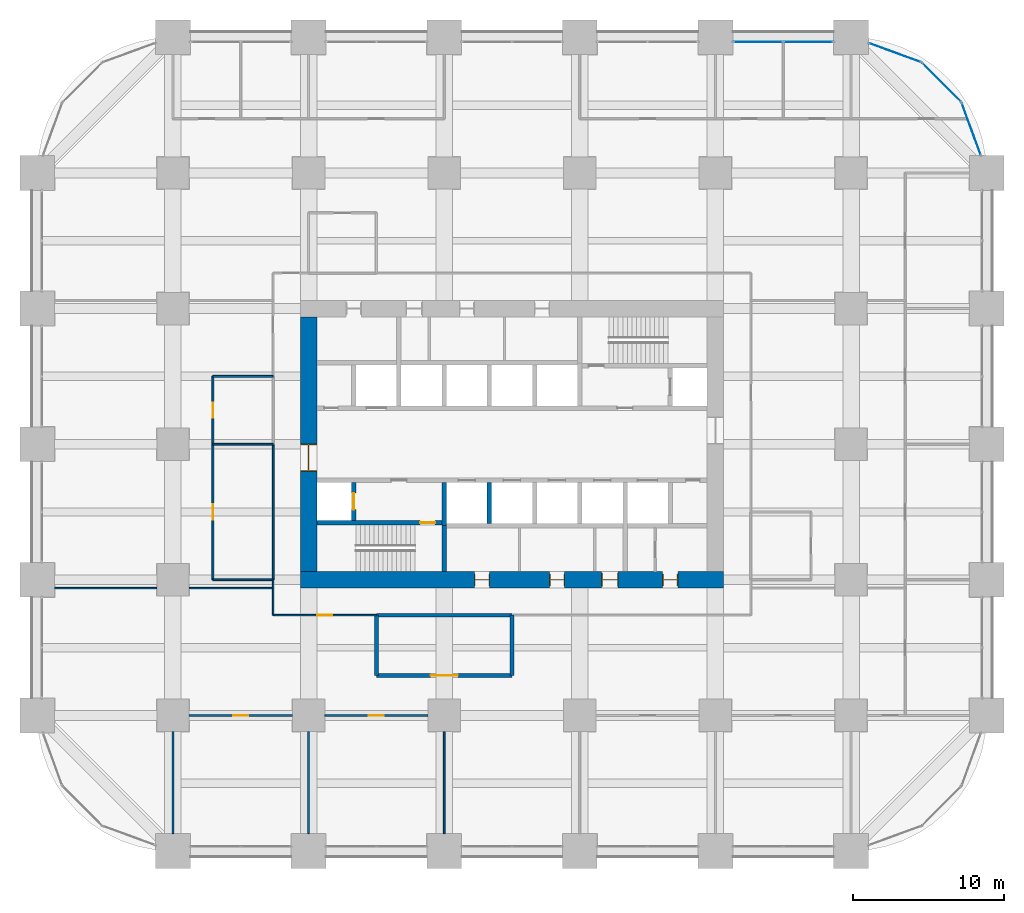
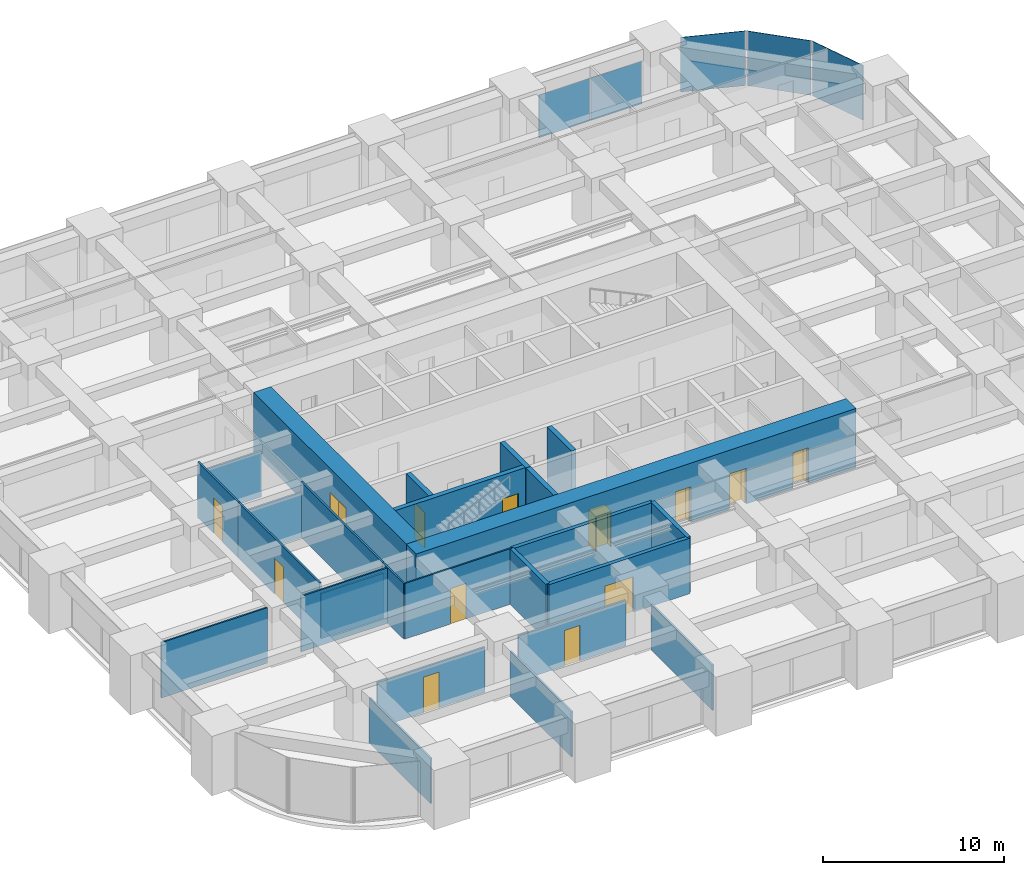
# One storey, part 39 of 44: 26 walls, 13 doors, 5 plates, 13 openings, 4 elements without a shape of their own.
"""IFC4 building model written with IfcOpenShell, lengths in metres."""

from ifc_helpers import new_model, si_unit, direction, frame, frame_2d, origin, origin_2d, place, context, subcontext, project, spatial, rectangle, extrude, material, layer, layer_set, type_object, element, fill, aggregate, save


model = new_model("IFC4")

# Units and contexts
model_context = context("Model", 3, precision=1e-05, world=origin(), true_north=direction((0.0, 1.0)))
body_context = subcontext(model_context, "Body", "Model", "MODEL_VIEW")
ifc_project = project(units=[si_unit("LENGTHUNIT", "METRE"), si_unit("AREAUNIT", "SQUARE_METRE"), si_unit("VOLUMEUNIT", "CUBIC_METRE"), si_unit("PLANEANGLEUNIT", "RADIAN"), si_unit("MASSUNIT", "GRAM", prefix="KILO")], contexts=[model_context])

# Site, building, storey
site_placement = place(None, origin())
site = spatial("IfcSite", under=ifc_project, at=site_placement, CompositionType="ELEMENT")
building_placement = place(site_placement, origin())
building = spatial("IfcBuilding", under=site, at=building_placement, Name="Zorevar Civic Tower", CompositionType="ELEMENT")
storey_placement = place(building_placement, frame((0.0, 0.0, 55.800048828125)))
storey = spatial("IfcBuildingStorey", under=building, at=storey_placement, Name="L13", CompositionType="ELEMENT", Elevation=55.800048828125)

# Curtain wall, plates
ifc_material_1 = material(Name="Dark grey solar-control glass in black aluminium frame", Category="aluminium")
curtain_wall_type = type_object("IfcCurtainWallType", Name="Curtain wall CW2 low zone", PredefinedType="NOTDEFINED", material=ifc_material_1)
curtain_wall_1_placement = place(storey_placement, origin())
curtain_wall_1 = element("IfcCurtainWall", 1, at=curtain_wall_1_placement, inside=storey, type_object=curtain_wall_type, Name="CW2 L13", PredefinedType="NOTDEFINED")
ifc_material_2 = material(Name="Dark grey solar-control glass", Category="glass")
ifc_layer_1 = layer(ifc_material_2, 0.031982421875)
ifc_layer_set_1 = layer_set([ifc_layer_1], Name="CW2 panel 32")
plate_type = type_object("IfcPlateType", Name="CW2 panel 32", PredefinedType="CURTAIN_PANEL", material=ifc_layer_set_1)
plate_1_placement = place(storey_placement, frame((47.840087890625, 53.699951171875, 0.06005859375), z_axis=(0.0, 0.0, 1.0), x_axis=(1.0, 0.0, 0.0)))
plate_1 = element("IfcPlate", 2, at=plate_1_placement, type_object=plate_type, Name="CW2 panel 1.1", PredefinedType="CURTAIN_PANEL", context=body_context, shape_type="SweptSolid", body=[
    extrude(rectangle(XDim=3.260009765625, YDim=0.031982421875, at=origin_2d()), origin(), (0.0, 0.0, 1.0), 2.889892578125),
])
plate_2_placement = place(storey_placement, frame((51.159912109375, 53.699951171875, 0.06005859375), z_axis=(0.0, 0.0, 1.0), x_axis=(1.0, 0.0, 0.0)))
plate_2 = element("IfcPlate", 3, at=plate_2_placement, type_object=plate_type, Name="CW2 panel 2.1", PredefinedType="CURTAIN_PANEL", context=body_context, shape_type="SweptSolid", body=[
    extrude(rectangle(XDim=3.260009765625, YDim=0.031982421875, at=origin_2d()), origin(), (0.0, 0.0, 1.0), 2.889892578125),
])
aggregate(curtain_wall_1, [plate_1, plate_2])

# Curtain wall, plate
curtain_wall_2_placement = place(storey_placement, origin())
curtain_wall_2 = element("IfcCurtainWall", 4, at=curtain_wall_2_placement, inside=storey, type_object=curtain_wall_type, Name="CW2 L13", PredefinedType="NOTDEFINED")
plate_3_placement = place(storey_placement, frame((61.979248046875, 47.914306640625, 0.06005859375), z_axis=(0.0, 0.0, 1.0), x_axis=(-0.343060400701, 0.939313345732, 0.0)))
plate_3 = element("IfcPlate", 5, at=plate_3_placement, type_object=plate_type, Name="CW2 panel 1.1", PredefinedType="CURTAIN_PANEL", context=body_context, shape_type="SweptSolid", body=[
    extrude(rectangle(XDim=3.636474609375, YDim=0.031982421875, at=origin_2d()), origin(), (0.0, 0.0, 1.0), 3.68994140625),
])
aggregate(curtain_wall_2, [plate_3])

curtain_wall_3_placement = place(storey_placement, origin())
curtain_wall_3 = element("IfcCurtainWall", 6, at=curtain_wall_3_placement, inside=storey, type_object=curtain_wall_type, Name="CW2 L13", PredefinedType="NOTDEFINED")
plate_4_placement = place(storey_placement, frame((60.0068359375, 51.0068359375, 0.06005859375), z_axis=(0.0, 0.0, 1.0), x_axis=(-0.707106781187, 0.707106781187, 0.0)))
plate_4 = element("IfcPlate", 7, at=plate_4_placement, type_object=plate_type, Name="CW2 panel 1.1", PredefinedType="CURTAIN_PANEL", context=body_context, shape_type="SweptSolid", body=[
    extrude(rectangle(XDim=3.636474609375, YDim=0.031982421875, at=origin_2d()), origin(), (0.0, 0.0, 1.0), 3.68994140625),
])
aggregate(curtain_wall_3, [plate_4])

curtain_wall_4_placement = place(storey_placement, origin())
curtain_wall_4 = element("IfcCurtainWall", 8, at=curtain_wall_4_placement, inside=storey, type_object=curtain_wall_type, Name="CW2 L13", PredefinedType="NOTDEFINED")
plate_5_placement = place(storey_placement, frame((56.914306640625, 52.979248046875, 0.06005859375), z_axis=(0.0, 0.0, 1.0), x_axis=(-0.939313345732, 0.343060400701, 0.0)))
plate_5 = element("IfcPlate", 9, at=plate_5_placement, type_object=plate_type, Name="CW2 panel 1.1", PredefinedType="CURTAIN_PANEL", context=body_context, shape_type="SweptSolid", body=[
    extrude(rectangle(XDim=3.636474609375, YDim=0.031982421875, at=origin_2d()), origin(), (0.0, 0.0, 1.0), 3.68994140625),
])
aggregate(curtain_wall_4, [plate_5])

# Wall, opening, door
ifc_material_3 = material(Name="Twin-stud acoustic wall, gypsum board")
ifc_layer_2 = layer(ifc_material_3, 0.25)
ifc_layer_set_2 = layer_set([ifc_layer_2], Name="Acoustic wall 250")
wall_type_1 = type_object("IfcWallType", Name="Acoustic wall 250", PredefinedType="PARTITIONING", material=ifc_layer_set_2)
wall_1_placement = place(storey_placement, frame((22.5, 11.64990234375, 0.0), z_axis=(0.0, 0.0, 1.0), x_axis=(1.0, 0.0, 0.0)))
wall_1 = element("IfcWall", 10, at=wall_1_placement, inside=storey, type_object=wall_type_1, Name="Acoustic wall 250 L13", PredefinedType="PARTITIONING", context=body_context, shape_type="SweptSolid", body=[
    extrude(rectangle(XDim=9.0, YDim=0.25, at=frame_2d((4.5, 0.0))), origin(), (0.0, 0.0, 1.0), 3.75),
])
opening_1_placement = place(wall_1_placement, frame((3.60009765625, 0.0, 0.0)))
opening_1 = element("IfcOpeningElement", 11, at=opening_1_placement, cuts=wall_1, Name="Opening L13.22", PredefinedType="OPENING", context=body_context, shape_type="SweptSolid", body=[
    extrude(rectangle(XDim=1.800048828125, YDim=2.39990234375, at=frame_2d((0.89990234375, 1.199951171875))), frame((0.0, 0.135009765625, 0.0), z_axis=(0.0, -1.0, 0.0), x_axis=(1.0, 0.0, 0.0)), (0.0, 0.0, 1.0), 0.27001953125),
])
ifc_material_4 = material(Name="Steel door set", Category="steel")
door_type_1 = type_object("IfcDoorType", Name="Door D2 1800x2400", OperationType="DOUBLE_DOOR_SINGLE_SWING", PredefinedType="DOOR", material=ifc_material_4)
door_1_placement = place(opening_1_placement, origin())
door_1 = element("IfcDoor", 12, at=door_1_placement, inside=storey, type_object=door_type_1, Name="Door L13 D1", OperationType="DOUBLE_DOOR_SINGLE_SWING", OverallHeight=2.39990234375, OverallWidth=1.800048828125, PredefinedType="DOOR", context=body_context, shape_type="SweptSolid", body=[
    extrude(rectangle(XDim=1.800048828125, YDim=2.39990234375, at=frame_2d((0.89990234375, 1.199951171875))), frame((0.0, 0.02490234375, 0.0), z_axis=(0.0, -1.0, 0.0), x_axis=(1.0, 0.0, 0.0)), (0.0, 0.0, 1.0), 0.050048828125),
])
fill(opening_1, door_1)

# Walls
wall_2_placement = place(storey_placement, frame((22.5, 15.64990234375, 0.0), z_axis=(0.0, 0.0, 1.0), x_axis=(1.0, 0.0, 0.0)))
element("IfcWall", 13, at=wall_2_placement, inside=storey, type_object=wall_type_1, Name="Acoustic wall 250 L13", PredefinedType="PARTITIONING", context=body_context, shape_type="SweptSolid", body=[
    extrude(rectangle(XDim=9.0, YDim=0.25, at=frame_2d((4.5, 0.0))), origin(), (0.0, 0.0, 1.0), 3.75),
])
for number, where, z_axis, x_axis, name in (
    (14, (22.5, 11.64990234375, 0.0), (0.0, 0.0, 1.0), (0.0, 1.0, 0.0), "Acoustic wall 250 L13"),
    (15, (31.5, 11.64990234375, 0.0), (0.0, 0.0, 1.0), (0.0, 1.0, 0.0), "Acoustic wall 250 L13"),
):
    element("IfcWall", number, at=place(storey_placement, frame(where, z_axis=z_axis, x_axis=x_axis)), inside=storey, type_object=wall_type_1, Name=name, PredefinedType="PARTITIONING", context=body_context, shape_type="SweptSolid", body=[
        extrude(rectangle(XDim=4.0, YDim=0.25, at=frame_2d((2.0, 0.0))), origin(), (0.0, 0.0, 1.0), 3.75),
    ])

# Wall, openings, doors
ifc_material_5 = material(Name="Concrete C50/60", Category="concrete")
ifc_layer_3 = layer(ifc_material_5, 1.10009765625)
ifc_layer_set_3 = layer_set([ifc_layer_3], Name="Core wall 1100")
wall_type_2 = type_object("IfcWallType", Name="Core wall 1100", PredefinedType="SHEAR", material=ifc_layer_set_3)
wall_3_placement = place(storey_placement, frame((17.449951171875, 18.0, 0.0), z_axis=(0.0, 0.0, 1.0), x_axis=(1.0, 0.0, 0.0)))
wall_3 = element("IfcWall", 16, at=wall_3_placement, inside=storey, type_object=wall_type_2, Name="Core wall S L13", PredefinedType="SHEAR", context=body_context, shape_type="SweptSolid", body=[
    extrude(rectangle(XDim=28.10009765625, YDim=1.10009765625, at=frame_2d((14.050048828125, 0.0))), origin(), (0.0, 0.0, 1.0), 4.0),
])
opening_2_placement = place(wall_3_placement, frame((11.550048828125, 0.0, 0.0)))
opening_2 = element("IfcOpeningElement", 17, at=opening_2_placement, cuts=wall_3, Name="Opening L13.03", PredefinedType="OPENING", context=body_context, shape_type="SweptSolid", body=[
    extrude(rectangle(XDim=1.0, YDim=2.39990234375, at=frame_2d((0.5, 1.199951171875))), frame((0.0, 0.56005859375, 0.0), z_axis=(0.0, -1.0, 0.0), x_axis=(1.0, 0.0, 0.0)), (0.0, 0.0, 1.0), 1.1201171875),
])
opening_3_placement = place(wall_3_placement, frame((16.550048828125, 0.0, 0.0)))
opening_3 = element("IfcOpeningElement", 18, at=opening_3_placement, cuts=wall_3, Name="Opening L13.04", PredefinedType="OPENING", context=body_context, shape_type="SweptSolid", body=[
    extrude(rectangle(XDim=1.0, YDim=2.39990234375, at=frame_2d((0.5, 1.199951171875))), frame((0.0, 0.56005859375, 0.0), z_axis=(0.0, -1.0, 0.0), x_axis=(1.0, 0.0, 0.0)), (0.0, 0.0, 1.0), 1.1201171875),
])
opening_4_placement = place(wall_3_placement, frame((20.0, 0.0, 0.0)))
opening_4 = element("IfcOpeningElement", 19, at=opening_4_placement, cuts=wall_3, Name="Opening L13.05", PredefinedType="OPENING", context=body_context, shape_type="SweptSolid", body=[
    extrude(rectangle(XDim=1.10009765625, YDim=2.39990234375, at=frame_2d((0.550048828125, 1.199951171875))), frame((0.0, 0.56005859375, 0.0), z_axis=(0.0, -1.0, 0.0), x_axis=(1.0, 0.0, 0.0)), (0.0, 0.0, 1.0), 1.1201171875),
])
opening_5_placement = place(wall_3_placement, frame((24.050048828125, 0.0, 0.0)))
opening_5 = element("IfcOpeningElement", 20, at=opening_5_placement, cuts=wall_3, Name="Opening L13.06", PredefinedType="OPENING", context=body_context, shape_type="SweptSolid", body=[
    extrude(rectangle(XDim=1.0, YDim=2.39990234375, at=frame_2d((0.5, 1.199951171875))), frame((0.0, 0.56005859375, 0.0), z_axis=(0.0, -1.0, 0.0), x_axis=(1.0, 0.0, 0.0)), (0.0, 0.0, 1.0), 1.1201171875),
])
ifc_material_6 = material(Name="Timber door set", Category="wood")
door_type_2 = type_object("IfcDoorType", Name="Door D1 1000x2400", OperationType="SINGLE_SWING_LEFT", PredefinedType="DOOR", material=ifc_material_6)
door_2_placement = place(opening_2_placement, origin())
door_2 = element("IfcDoor", 21, at=door_2_placement, inside=storey, type_object=door_type_2, Name="Door L13 02", OperationType="SINGLE_SWING_RIGHT", OverallHeight=2.39990234375, OverallWidth=1.0, PredefinedType="DOOR", context=body_context, shape_type="SweptSolid", body=[
    extrude(rectangle(XDim=1.0, YDim=2.39990234375, at=frame_2d((0.5, 1.199951171875))), frame((0.0, 0.02490234375, 0.0), z_axis=(0.0, -1.0, 0.0), x_axis=(1.0, 0.0, 0.0)), (0.0, 0.0, 1.0), 0.050048828125),
    extrude(rectangle(XDim=0.04, YDim=2.39990234375, at=frame_2d((0.02001953125, 1.199951171875))), frame((0.0, 0.39990234375, 0.0), z_axis=(0.0, -1.0, 0.0), x_axis=(1.0, 0.0, 0.0)), (0.0, 0.0, 1.0), 0.800048828125),
    extrude(rectangle(XDim=0.04, YDim=2.39990234375, at=frame_2d((0.97998046875, 1.199951171875))), frame((0.0, 0.39990234375, 0.0), z_axis=(0.0, -1.0, 0.0), x_axis=(1.0, 0.0, 0.0)), (0.0, 0.0, 1.0), 0.800048828125),
    extrude(rectangle(XDim=1.0, YDim=0.04, at=frame_2d((0.5, 2.3798828125))), frame((0.0, 0.39990234375, 0.0), z_axis=(0.0, -1.0, 0.0), x_axis=(1.0, 0.0, 0.0)), (0.0, 0.0, 1.0), 0.800048828125),
])
fill(opening_2, door_2)
door_3_placement = place(opening_3_placement, origin())
door_3 = element("IfcDoor", 22, at=door_3_placement, inside=storey, type_object=door_type_2, Name="Door L13 03", OperationType="SINGLE_SWING_LEFT", OverallHeight=2.39990234375, OverallWidth=1.0, PredefinedType="DOOR", context=body_context, shape_type="SweptSolid", body=[
    extrude(rectangle(XDim=1.0, YDim=2.39990234375, at=frame_2d((0.5, 1.199951171875))), frame((0.0, 0.02490234375, 0.0), z_axis=(0.0, -1.0, 0.0), x_axis=(1.0, 0.0, 0.0)), (0.0, 0.0, 1.0), 0.050048828125),
    extrude(rectangle(XDim=0.04, YDim=2.39990234375, at=frame_2d((0.02001953125, 1.199951171875))), frame((0.0, 0.39990234375, 0.0), z_axis=(0.0, -1.0, 0.0), x_axis=(1.0, 0.0, 0.0)), (0.0, 0.0, 1.0), 0.800048828125),
    extrude(rectangle(XDim=0.04, YDim=2.39990234375, at=frame_2d((0.97998046875, 1.199951171875))), frame((0.0, 0.39990234375, 0.0), z_axis=(0.0, -1.0, 0.0), x_axis=(1.0, 0.0, 0.0)), (0.0, 0.0, 1.0), 0.800048828125),
    extrude(rectangle(XDim=1.0, YDim=0.04, at=frame_2d((0.5, 2.3798828125))), frame((0.0, 0.39990234375, 0.0), z_axis=(0.0, -1.0, 0.0), x_axis=(1.0, 0.0, 0.0)), (0.0, 0.0, 1.0), 0.800048828125),
])
fill(opening_3, door_3)
door_4_placement = place(opening_5_placement, origin())
door_4 = element("IfcDoor", 23, at=door_4_placement, inside=storey, type_object=door_type_2, Name="Door L13 05", OperationType="SINGLE_SWING_LEFT", OverallHeight=2.39990234375, OverallWidth=1.0, PredefinedType="DOOR", context=body_context, shape_type="SweptSolid", body=[
    extrude(rectangle(XDim=1.0, YDim=2.39990234375, at=frame_2d((0.5, 1.199951171875))), frame((0.0, 0.02490234375, 0.0), z_axis=(0.0, -1.0, 0.0), x_axis=(1.0, 0.0, 0.0)), (0.0, 0.0, 1.0), 0.050048828125),
    extrude(rectangle(XDim=0.04, YDim=2.39990234375, at=frame_2d((0.02001953125, 1.199951171875))), frame((0.0, 0.39990234375, 0.0), z_axis=(0.0, -1.0, 0.0), x_axis=(1.0, 0.0, 0.0)), (0.0, 0.0, 1.0), 0.800048828125),
    extrude(rectangle(XDim=0.04, YDim=2.39990234375, at=frame_2d((0.97998046875, 1.199951171875))), frame((0.0, 0.39990234375, 0.0), z_axis=(0.0, -1.0, 0.0), x_axis=(1.0, 0.0, 0.0)), (0.0, 0.0, 1.0), 0.800048828125),
    extrude(rectangle(XDim=1.0, YDim=0.04, at=frame_2d((0.5, 2.3798828125))), frame((0.0, 0.39990234375, 0.0), z_axis=(0.0, -1.0, 0.0), x_axis=(1.0, 0.0, 0.0)), (0.0, 0.0, 1.0), 0.800048828125),
])
fill(opening_5, door_4)
ifc_material_7 = material(Name="Timber door set", Category="wood")
door_type_3 = type_object("IfcDoorType", Name="Door D5 1100x2400", OperationType="SINGLE_SWING_LEFT", PredefinedType="DOOR", material=ifc_material_7)
door_5_placement = place(opening_4_placement, origin())
door_5 = element("IfcDoor", 24, at=door_5_placement, inside=storey, type_object=door_type_3, Name="Door L13 04", OperationType="SINGLE_SWING_LEFT", OverallHeight=2.39990234375, OverallWidth=1.10009765625, PredefinedType="DOOR", context=body_context, shape_type="SweptSolid", body=[
    extrude(rectangle(XDim=1.10009765625, YDim=2.39990234375, at=frame_2d((0.550048828125, 1.199951171875))), frame((0.0, 0.02490234375, 0.0), z_axis=(0.0, -1.0, 0.0), x_axis=(1.0, 0.0, 0.0)), (0.0, 0.0, 1.0), 0.050048828125),
    extrude(rectangle(XDim=0.04, YDim=2.39990234375, at=frame_2d((0.02001953125, 1.199951171875))), frame((0.0, 0.43994140625, 0.0), z_axis=(0.0, -1.0, 0.0), x_axis=(1.0, 0.0, 0.0)), (0.0, 0.0, 1.0), 0.880126953125),
    extrude(rectangle(XDim=0.04, YDim=2.39990234375, at=frame_2d((1.080078125, 1.199951171875))), frame((0.0, 0.43994140625, 0.0), z_axis=(0.0, -1.0, 0.0), x_axis=(1.0, 0.0, 0.0)), (0.0, 0.0, 1.0), 0.880126953125),
    extrude(rectangle(XDim=1.10009765625, YDim=0.04, at=frame_2d((0.550048828125, 2.3798828125))), frame((0.0, 0.43994140625, 0.0), z_axis=(0.0, -1.0, 0.0), x_axis=(1.0, 0.0, 0.0)), (0.0, 0.0, 1.0), 0.880126953125),
])
fill(opening_4, door_5)

# Wall, opening, door
wall_4_placement = place(storey_placement, frame((18.0, 35.449951171875, 0.0), z_axis=(0.0, 0.0, 1.0), x_axis=(0.0, -1.0, 0.0)))
wall_4 = element("IfcWall", 25, at=wall_4_placement, inside=storey, type_object=wall_type_2, Name="Core wall W L13", PredefinedType="SHEAR", context=body_context, shape_type="SweptSolid", body=[
    extrude(rectangle(XDim=16.89990234375, YDim=1.10009765625, at=frame_2d((8.449951171875, 0.0))), origin(), (0.0, 0.0, 1.0), 4.0),
])
opening_6_placement = place(wall_4_placement, frame((8.449951171875, 0.0, 0.0)))
opening_6 = element("IfcOpeningElement", 26, at=opening_6_placement, cuts=wall_4, Name="Opening L13.01", PredefinedType="OPENING", context=body_context, shape_type="SweptSolid", body=[
    extrude(rectangle(XDim=1.800048828125, YDim=2.39990234375, at=frame_2d((0.89990234375, 1.199951171875))), frame((0.0, 0.56005859375, 0.0), z_axis=(0.0, -1.0, 0.0), x_axis=(1.0, 0.0, 0.0)), (0.0, 0.0, 1.0), 1.1201171875),
])
ifc_material_8 = material(Name="Steel door set", Category="steel")
door_type_4 = type_object("IfcDoorType", Name="Fire door FD2 1800x2400", OperationType="DOUBLE_DOOR_DOUBLE_SWING", PredefinedType="DOOR", material=ifc_material_8)
door_6_placement = place(opening_6_placement, origin())
door_6 = element("IfcDoor", 27, at=door_6_placement, inside=storey, type_object=door_type_4, Name="Door L13 00", OperationType="DOUBLE_DOOR_DOUBLE_SWING", OverallHeight=2.39990234375, OverallWidth=1.800048828125, PredefinedType="DOOR", context=body_context, shape_type="SweptSolid", body=[
    extrude(rectangle(XDim=1.800048828125, YDim=2.39990234375, at=frame_2d((0.89990234375, 1.199951171875))), frame((0.0, 0.030029296875, 0.0), z_axis=(0.0, -1.0, 0.0), x_axis=(1.0, 0.0, 0.0)), (0.0, 0.0, 1.0), 0.06005859375),
    extrude(rectangle(XDim=0.04, YDim=2.39990234375, at=frame_2d((0.02001953125, 1.199951171875))), frame((0.0, 0.5498046875, 0.0), z_axis=(0.0, -1.0, 0.0), x_axis=(1.0, 0.0, 0.0)), (0.0, 0.0, 1.0), 1.099609375),
    extrude(rectangle(XDim=0.04, YDim=2.39990234375, at=frame_2d((1.780029296875, 1.199951171875))), frame((0.0, 0.5498046875, 0.0), z_axis=(0.0, -1.0, 0.0), x_axis=(1.0, 0.0, 0.0)), (0.0, 0.0, 1.0), 1.099609375),
    extrude(rectangle(XDim=1.800048828125, YDim=0.04, at=frame_2d((0.89990234375, 2.3798828125))), frame((0.0, 0.5498046875, 0.0), z_axis=(0.0, -1.0, 0.0), x_axis=(1.0, 0.0, 0.0)), (0.0, 0.0, 1.0), 1.099609375),
])
fill(opening_6, door_6)

ifc_material_9 = material(Name="Laminated glass in black aluminium frame", Category="aluminium")
ifc_layer_4 = layer(ifc_material_9, 0.10009765625)
ifc_layer_set_4 = layer_set([ifc_layer_4], Name="Glazed partition 100")
wall_type_3 = type_object("IfcWallType", Name="Glazed partition 100", PredefinedType="PARTITIONING", material=ifc_layer_set_4)
wall_5_placement = place(storey_placement, frame((15.64990234375, 15.64990234375, 0.0), z_axis=(0.0, 0.0, 1.0), x_axis=(1.0, 0.0, 0.0)))
wall_5 = element("IfcWall", 28, at=wall_5_placement, inside=storey, type_object=wall_type_3, Name="Glazed partition 100 L13", PredefinedType="PARTITIONING", context=body_context, shape_type="SweptSolid", body=[
    extrude(rectangle(XDim=6.85009765625, YDim=0.10009765625, at=frame_2d((3.425048828125, 0.0))), origin(), (0.0, 0.0, 1.0), 3.75),
])
opening_7_placement = place(wall_5_placement, frame((2.925048828125, 0.0, 0.0)))
opening_7 = element("IfcOpeningElement", 29, at=opening_7_placement, cuts=wall_5, Name="Opening L13.23", PredefinedType="OPENING", context=body_context, shape_type="SweptSolid", body=[
    extrude(rectangle(XDim=1.0, YDim=2.39990234375, at=frame_2d((0.5, 1.199951171875))), frame((0.0, 0.06005859375, 0.0), z_axis=(0.0, -1.0, 0.0), x_axis=(1.0, 0.0, 0.0)), (0.0, 0.0, 1.0), 0.1201171875),
])
ifc_material_10 = material(Name="Timber door set", Category="wood")
door_type_5 = type_object("IfcDoorType", Name="Glazed door GD1 1000x2400", OperationType="SINGLE_SWING_LEFT", PredefinedType="DOOR", material=ifc_material_10)
door_7_placement = place(opening_7_placement, origin())
door_7 = element("IfcDoor", 30, at=door_7_placement, inside=storey, type_object=door_type_5, Name="Door L13 D1", OperationType="SINGLE_SWING_RIGHT", OverallHeight=2.39990234375, OverallWidth=1.0, PredefinedType="DOOR", context=body_context, shape_type="SweptSolid", body=[
    extrude(rectangle(XDim=1.0, YDim=2.39990234375, at=frame_2d((0.5, 1.199951171875))), frame((0.0, 0.02001953125, 0.0), z_axis=(0.0, -1.0, 0.0), x_axis=(1.0, 0.0, 0.0)), (0.0, 0.0, 1.0), 0.0400390625),
])
fill(opening_7, door_7)

# Walls
wall_6_placement = place(storey_placement, frame((1.14990234375, 17.449951171875, 0.0), z_axis=(0.0, 0.0, 1.0), x_axis=(1.0, 0.0, 0.0)))
element("IfcWall", 31, at=wall_6_placement, inside=storey, type_object=wall_type_3, Name="Glazed partition 100 L13", PredefinedType="PARTITIONING", context=body_context, shape_type="SweptSolid", body=[
    extrude(rectangle(XDim=6.775146484375, YDim=0.10009765625, at=frame_2d((3.3876953125, 0.0))), origin(), (0.0, 0.0, 1.0), 3.75),
])
wall_7_placement = place(storey_placement, frame((10.074951171875, 17.449951171875, 0.0), z_axis=(0.0, 0.0, 1.0), x_axis=(1.0, 0.0, 0.0)))
element("IfcWall", 32, at=wall_7_placement, inside=storey, type_object=wall_type_3, Name="Glazed partition 100 L13", PredefinedType="PARTITIONING", context=body_context, shape_type="SweptSolid", body=[
    extrude(rectangle(XDim=5.574951171875, YDim=0.10009765625, at=frame_2d((2.78759765625, 0.0))), origin(), (0.0, 0.0, 1.0), 3.75),
])
wall_8_placement = place(storey_placement, frame((15.64990234375, 15.64990234375, 0.0), z_axis=(0.0, 0.0, 1.0), x_axis=(0.0, 1.0, 0.0)))
element("IfcWall", 33, at=wall_8_placement, inside=storey, type_object=wall_type_3, Name="Glazed partition 100 L13", PredefinedType="PARTITIONING", context=body_context, shape_type="SweptSolid", body=[
    extrude(rectangle(XDim=2.35009765625, YDim=0.10009765625, at=frame_2d((1.175048828125, 0.0))), origin(), (0.0, 0.0, 1.0), 3.75),
])

# Wall, opening, door
ifc_material_11 = material(Name="Concrete C40/50", Category="concrete")
ifc_layer_5 = layer(ifc_material_11, 0.300048828125)
ifc_layer_set_5 = layer_set([ifc_layer_5], Name="Inner core wall 300")
wall_type_4 = type_object("IfcWallType", Name="Inner core wall 300", PredefinedType="SHEAR", material=ifc_layer_set_5)
wall_9_placement = place(storey_placement, frame((18.550048828125, 21.800048828125, 0.0), z_axis=(0.0, 0.0, 1.0), x_axis=(1.0, 0.0, 0.0)))
wall_9 = element("IfcWall", 34, at=wall_9_placement, inside=storey, type_object=wall_type_4, Name="Inner core wall S00 L13", PredefinedType="SHEAR", context=body_context, shape_type="SweptSolid", body=[
    extrude(rectangle(XDim=8.300048828125, YDim=0.300048828125, at=frame_2d((4.14990234375, 0.0))), origin(), (0.0, 0.0, 1.0), 4.0),
])
opening_8_placement = place(wall_9_placement, frame((6.85009765625, 0.0, 0.0)))
opening_8 = element("IfcOpeningElement", 35, at=opening_8_placement, cuts=wall_9, Name="Opening L13.11", PredefinedType="OPENING", context=body_context, shape_type="SweptSolid", body=[
    extrude(rectangle(XDim=1.0, YDim=2.39990234375, at=frame_2d((0.5, 1.199951171875))), frame((0.0, 0.159912109375, 0.0), z_axis=(0.0, -1.0, 0.0), x_axis=(1.0, 0.0, 0.0)), (0.0, 0.0, 1.0), 0.320068359375),
])
ifc_material_12 = material(Name="Steel door set", Category="steel")
door_type_6 = type_object("IfcDoorType", Name="Fire door FD1 1000x2400", OperationType="SINGLE_SWING_LEFT", PredefinedType="DOOR", material=ifc_material_12)
door_8_placement = place(opening_8_placement, origin())
door_8 = element("IfcDoor", 36, at=door_8_placement, inside=storey, type_object=door_type_6, Name="Door L13 10", OperationType="SINGLE_SWING_RIGHT", OverallHeight=2.39990234375, OverallWidth=1.0, PredefinedType="DOOR", context=body_context, shape_type="SweptSolid", body=[
    extrude(rectangle(XDim=1.0, YDim=2.39990234375, at=frame_2d((0.5, 1.199951171875))), frame((0.0, 0.030029296875, 0.0), z_axis=(0.0, -1.0, 0.0), x_axis=(1.0, 0.0, 0.0)), (0.0, 0.0, 1.0), 0.06005859375),
])
fill(opening_8, door_8)

# Wall
wall_10_placement = place(storey_placement, frame((27.0, 18.550048828125, 0.0), z_axis=(0.0, 0.0, 1.0), x_axis=(0.0, 1.0, 0.0)))
element("IfcWall", 37, at=wall_10_placement, inside=storey, type_object=wall_type_4, Name="Inner core wall S01 L13", PredefinedType="SHEAR", context=body_context, shape_type="SweptSolid", body=[
    extrude(rectangle(XDim=3.050048828125, YDim=0.300048828125, at=frame_2d((1.52490234375, 0.0))), origin(), (0.0, 0.0, 1.0), 4.0),
])

# Wall, opening, door
wall_11_placement = place(storey_placement, frame((21.0, 21.949951171875, 0.0), z_axis=(0.0, 0.0, 1.0), x_axis=(0.0, 1.0, 0.0)))
wall_11 = element("IfcWall", 38, at=wall_11_placement, inside=storey, type_object=wall_type_4, Name="Inner core wall S02 L13", PredefinedType="SHEAR", context=body_context, shape_type="SweptSolid", body=[
    extrude(rectangle(XDim=2.5, YDim=0.300048828125, at=frame_2d((1.25, 0.0))), origin(), (0.0, 0.0, 1.0), 4.0),
])
opening_9_placement = place(wall_11_placement, frame((0.699951171875, 0.0, 0.0)))
opening_9 = element("IfcOpeningElement", 39, at=opening_9_placement, cuts=wall_11, Name="Opening L13.FL1", PredefinedType="OPENING", context=body_context, shape_type="SweptSolid", body=[
    extrude(rectangle(XDim=1.10009765625, YDim=2.39990234375, at=frame_2d((0.550048828125, 1.199951171875))), frame((0.0, 0.159912109375, 0.0), z_axis=(0.0, -1.0, 0.0), x_axis=(1.0, 0.0, 0.0)), (0.0, 0.0, 1.0), 0.320068359375),
])
ifc_material_13 = material(Name="Steel door set", Category="steel")
door_type_7 = type_object("IfcDoorType", Name="Firefighting lift landing door LD3 1100x2400", OperationType="DOUBLE_DOOR_SLIDING", PredefinedType="DOOR", material=ifc_material_13)
door_9_placement = place(opening_9_placement, origin())
door_9 = element("IfcDoor", 40, at=door_9_placement, inside=storey, type_object=door_type_7, Name="Landing door FL1 L13", OperationType="DOUBLE_DOOR_SLIDING", OverallHeight=2.39990234375, OverallWidth=1.10009765625, PredefinedType="DOOR", context=body_context, shape_type="SweptSolid", body=[
    extrude(rectangle(XDim=1.10009765625, YDim=2.39990234375, at=frame_2d((0.550048828125, 1.199951171875))), frame((0.0, 0.030029296875, 0.0), z_axis=(0.0, -1.0, 0.0), x_axis=(1.0, 0.0, 0.0)), (0.0, 0.0, 1.0), 0.06005859375),
])
fill(opening_9, door_9)

# Walls
wall_12_placement = place(storey_placement, frame((30.0, 21.75, 0.0), z_axis=(0.0, 0.0, 1.0), x_axis=(0.0, 1.0, 0.0)))
element("IfcWall", 41, at=wall_12_placement, inside=storey, type_object=wall_type_4, Name="Inner core wall S05 L13", PredefinedType="SHEAR", context=body_context, shape_type="SweptSolid", body=[
    extrude(rectangle(XDim=2.699951171875, YDim=0.300048828125, at=frame_2d((1.35009765625, 0.0))), origin(), (0.0, 0.0, 1.0), 4.0),
])
wall_13_placement = place(storey_placement, frame((27.0, 21.60009765625, 0.0), z_axis=(0.0, 0.0, 1.0), x_axis=(0.0, 1.0, 0.0)))
element("IfcWall", 42, at=wall_13_placement, inside=storey, type_object=wall_type_4, Name="Inner core wall S10 L13", PredefinedType="SHEAR", context=body_context, shape_type="SweptSolid", body=[
    extrude(rectangle(XDim=2.849853515625, YDim=0.300048828125, at=frame_2d((1.4248046875, 0.0))), origin(), (0.0, 0.0, 1.0), 4.0),
])

# Wall, opening, door
ifc_material_14 = material(Name="Gypsum board on steel studs", Category="steel")
ifc_layer_6 = layer(ifc_material_14, 0.1201171875)
ifc_layer_set_6 = layer_set([ifc_layer_6], Name="Partition 120")
wall_type_5 = type_object("IfcWallType", Name="Partition 120", PredefinedType="PARTITIONING", material=ifc_layer_set_6)
wall_14_placement = place(storey_placement, frame((10.074951171875, 9.0, 0.0), z_axis=(0.0, 0.0, 1.0), x_axis=(1.0, 0.0, 0.0)))
wall_14 = element("IfcWall", 43, at=wall_14_placement, inside=storey, type_object=wall_type_5, Name="Partition 120 L13", PredefinedType="PARTITIONING", context=body_context, shape_type="SweptSolid", body=[
    extrude(rectangle(XDim=6.85009765625, YDim=0.1201171875, at=frame_2d((3.425048828125, 0.0))), origin(), (0.0, 0.0, 1.0), 3.050048828125),
])
opening_10_placement = place(wall_14_placement, frame((2.925048828125, 0.0, 0.0)))
opening_10 = element("IfcOpeningElement", 44, at=opening_10_placement, cuts=wall_14, Name="Opening L13.17", PredefinedType="OPENING", context=body_context, shape_type="SweptSolid", body=[
    extrude(rectangle(XDim=1.0, YDim=2.39990234375, at=frame_2d((0.5, 1.199951171875))), frame((0.0, 0.070068359375, 0.0), z_axis=(0.0, -1.0, 0.0), x_axis=(1.0, 0.0, 0.0)), (0.0, 0.0, 1.0), 0.14013671875),
])
door_10_placement = place(opening_10_placement, origin())
door_10 = element("IfcDoor", 45, at=door_10_placement, inside=storey, type_object=door_type_2, Name="Door L13 D1", OperationType="SINGLE_SWING_LEFT", OverallHeight=2.39990234375, OverallWidth=1.0, PredefinedType="DOOR", context=body_context, shape_type="SweptSolid", body=[
    extrude(rectangle(XDim=1.0, YDim=2.39990234375, at=frame_2d((0.5, 1.199951171875))), frame((0.0, 0.02490234375, 0.0), z_axis=(0.0, -1.0, 0.0), x_axis=(1.0, 0.0, 0.0)), (0.0, 0.0, 1.0), 0.050048828125),
])
fill(opening_10, door_10)

wall_15_placement = place(storey_placement, frame((19.074951171875, 9.0, 0.0), z_axis=(0.0, 0.0, 1.0), x_axis=(1.0, 0.0, 0.0)))
wall_15 = element("IfcWall", 46, at=wall_15_placement, inside=storey, type_object=wall_type_5, Name="Partition 120 L13", PredefinedType="PARTITIONING", context=body_context, shape_type="SweptSolid", body=[
    extrude(rectangle(XDim=6.85009765625, YDim=0.1201171875, at=frame_2d((3.425048828125, 0.0))), origin(), (0.0, 0.0, 1.0), 3.050048828125),
])
opening_11_placement = place(wall_15_placement, frame((2.925048828125, 0.0, 0.0)))
opening_11 = element("IfcOpeningElement", 47, at=opening_11_placement, cuts=wall_15, Name="Opening L13.18", PredefinedType="OPENING", context=body_context, shape_type="SweptSolid", body=[
    extrude(rectangle(XDim=1.0, YDim=2.39990234375, at=frame_2d((0.5, 1.199951171875))), frame((0.0, 0.070068359375, 0.0), z_axis=(0.0, -1.0, 0.0), x_axis=(1.0, 0.0, 0.0)), (0.0, 0.0, 1.0), 0.14013671875),
])
door_11_placement = place(opening_11_placement, origin())
door_11 = element("IfcDoor", 48, at=door_11_placement, inside=storey, type_object=door_type_2, Name="Door L13 D1", OperationType="SINGLE_SWING_RIGHT", OverallHeight=2.39990234375, OverallWidth=1.0, PredefinedType="DOOR", context=body_context, shape_type="SweptSolid", body=[
    extrude(rectangle(XDim=1.0, YDim=2.39990234375, at=frame_2d((0.5, 1.199951171875))), frame((0.0, 0.02490234375, 0.0), z_axis=(0.0, -1.0, 0.0), x_axis=(1.0, 0.0, 0.0)), (0.0, 0.0, 1.0), 0.050048828125),
])
fill(opening_11, door_11)

# Walls
for number, where, z_axis, x_axis, name in (
    (49, (11.64990234375, 18.0, 0.0), (0.0, 0.0, 1.0), (1.0, 0.0, 0.0), "Partition 120 L13"),
    (50, (11.64990234375, 27.0, 0.0), (0.0, 0.0, 1.0), (1.0, 0.0, 0.0), "Partition 120 L13"),
):
    element("IfcWall", number, at=place(storey_placement, frame(where, z_axis=z_axis, x_axis=x_axis)), inside=storey, type_object=wall_type_5, Name=name, PredefinedType="PARTITIONING", context=body_context, shape_type="SweptSolid", body=[
        extrude(rectangle(XDim=4.0, YDim=0.1201171875, at=frame_2d((2.0, 0.0))), origin(), (0.0, 0.0, 1.0), 3.050048828125),
    ])
wall_16_placement = place(storey_placement, frame((11.64990234375, 31.5, 0.0), z_axis=(0.0, 0.0, 1.0), x_axis=(1.0, 0.0, 0.0)))
element("IfcWall", 51, at=wall_16_placement, inside=storey, type_object=wall_type_5, Name="Partition 120 L13", PredefinedType="PARTITIONING", context=body_context, shape_type="SweptSolid", body=[
    extrude(rectangle(XDim=4.0, YDim=0.1201171875, at=frame_2d((2.0, 0.0))), origin(), (0.0, 0.0, 1.0), 3.099853515625),
])
wall_17_placement = place(storey_placement, frame((9.0, 1.14990234375, 0.0), z_axis=(0.0, 0.0, 1.0), x_axis=(0.0, 1.0, 0.0)))
element("IfcWall", 52, at=wall_17_placement, inside=storey, type_object=wall_type_5, Name="Partition 120 L13", PredefinedType="PARTITIONING", context=body_context, shape_type="SweptSolid", body=[
    extrude(rectangle(XDim=6.775146484375, YDim=0.1201171875, at=frame_2d((3.3876953125, 0.0))), origin(), (0.0, 0.0, 1.0), 3.050048828125),
])

# Wall, opening, door
wall_18_placement = place(storey_placement, frame((11.64990234375, 18.0, 0.0), z_axis=(0.0, 0.0, 1.0), x_axis=(0.0, 1.0, 0.0)))
wall_18 = element("IfcWall", 53, at=wall_18_placement, inside=storey, type_object=wall_type_5, Name="Partition 120 L13", PredefinedType="PARTITIONING", context=body_context, shape_type="SweptSolid", body=[
    extrude(rectangle(XDim=9.0, YDim=0.1201171875, at=frame_2d((4.5, 0.0))), origin(), (0.0, 0.0, 1.0), 3.75),
])
opening_12_placement = place(wall_18_placement, frame((4.0, 0.0, 0.0)))
opening_12 = element("IfcOpeningElement", 54, at=opening_12_placement, cuts=wall_18, Name="Opening L13.33", PredefinedType="OPENING", context=body_context, shape_type="SweptSolid", body=[
    extrude(rectangle(XDim=1.0, YDim=2.39990234375, at=frame_2d((0.5, 1.199951171875))), frame((0.0, 0.070068359375, 0.0), z_axis=(0.0, -1.0, 0.0), x_axis=(1.0, 0.0, 0.0)), (0.0, 0.0, 1.0), 0.14013671875),
])
door_12_placement = place(opening_12_placement, origin())
door_12 = element("IfcDoor", 55, at=door_12_placement, inside=storey, type_object=door_type_2, Name="Door L13 D1", OperationType="SINGLE_SWING_RIGHT", OverallHeight=2.39990234375, OverallWidth=1.0, PredefinedType="DOOR", context=body_context, shape_type="SweptSolid", body=[
    extrude(rectangle(XDim=1.0, YDim=2.39990234375, at=frame_2d((0.5, 1.199951171875))), frame((0.0, 0.02490234375, 0.0), z_axis=(0.0, -1.0, 0.0), x_axis=(1.0, 0.0, 0.0)), (0.0, 0.0, 1.0), 0.050048828125),
])
fill(opening_12, door_12)

wall_19_placement = place(storey_placement, frame((11.64990234375, 27.0, 0.0), z_axis=(0.0, 0.0, 1.0), x_axis=(0.0, 1.0, 0.0)))
wall_19 = element("IfcWall", 56, at=wall_19_placement, inside=storey, type_object=wall_type_5, Name="Partition 120 L13", PredefinedType="PARTITIONING", context=body_context, shape_type="SweptSolid", body=[
    extrude(rectangle(XDim=4.5, YDim=0.1201171875, at=frame_2d((2.25, 0.0))), origin(), (0.0, 0.0, 1.0), 3.75),
])
opening_13_placement = place(wall_19_placement, frame((1.75, 0.0, 0.0)))
opening_13 = element("IfcOpeningElement", 57, at=opening_13_placement, cuts=wall_19, Name="Opening L13.34", PredefinedType="OPENING", context=body_context, shape_type="SweptSolid", body=[
    extrude(rectangle(XDim=1.0, YDim=2.39990234375, at=frame_2d((0.5, 1.199951171875))), frame((0.0, 0.070068359375, 0.0), z_axis=(0.0, -1.0, 0.0), x_axis=(1.0, 0.0, 0.0)), (0.0, 0.0, 1.0), 0.14013671875),
])
door_13_placement = place(opening_13_placement, origin())
door_13 = element("IfcDoor", 58, at=door_13_placement, inside=storey, type_object=door_type_2, Name="Door L13 D1", OperationType="SINGLE_SWING_LEFT", OverallHeight=2.39990234375, OverallWidth=1.0, PredefinedType="DOOR", context=body_context, shape_type="SweptSolid", body=[
    extrude(rectangle(XDim=1.0, YDim=2.39990234375, at=frame_2d((0.5, 1.199951171875))), frame((0.0, 0.02490234375, 0.0), z_axis=(0.0, -1.0, 0.0), x_axis=(1.0, 0.0, 0.0)), (0.0, 0.0, 1.0), 0.050048828125),
])
fill(opening_13, door_13)

# Walls
wall_20_placement = place(storey_placement, frame((15.64990234375, 18.0, 0.0), z_axis=(0.0, 0.0, 1.0), x_axis=(0.0, 1.0, 0.0)))
element("IfcWall", 59, at=wall_20_placement, inside=storey, type_object=wall_type_5, Name="Partition 120 L13", PredefinedType="PARTITIONING", context=body_context, shape_type="SweptSolid", body=[
    extrude(rectangle(XDim=9.0, YDim=0.1201171875, at=frame_2d((4.5, 0.0))), origin(), (0.0, 0.0, 1.0), 3.75),
])
for number, where, z_axis, x_axis, name in (
    (60, (18.0, 1.14990234375, 0.0), (0.0, 0.0, 1.0), (0.0, 1.0, 0.0), "Partition 120 L13"),
    (61, (27.0, 1.14990234375, 0.0), (0.0, 0.0, 1.0), (0.0, 1.0, 0.0), "Partition 120 L13"),
):
    element("IfcWall", number, at=place(storey_placement, frame(where, z_axis=z_axis, x_axis=x_axis)), inside=storey, type_object=wall_type_5, Name=name, PredefinedType="PARTITIONING", context=body_context, shape_type="SweptSolid", body=[
        extrude(rectangle(XDim=6.775146484375, YDim=0.1201171875, at=frame_2d((3.3876953125, 0.0))), origin(), (0.0, 0.0, 1.0), 3.050048828125),
    ])

save(model, "model.ifc")
